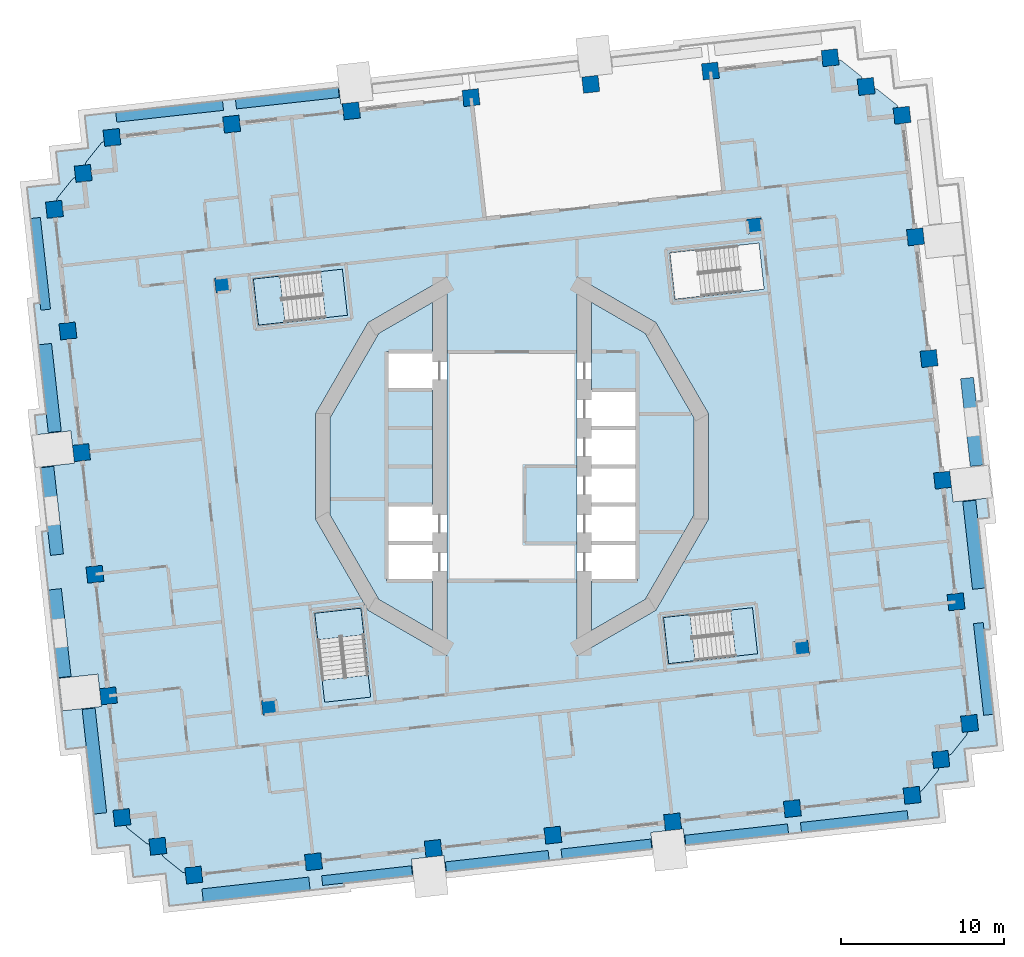
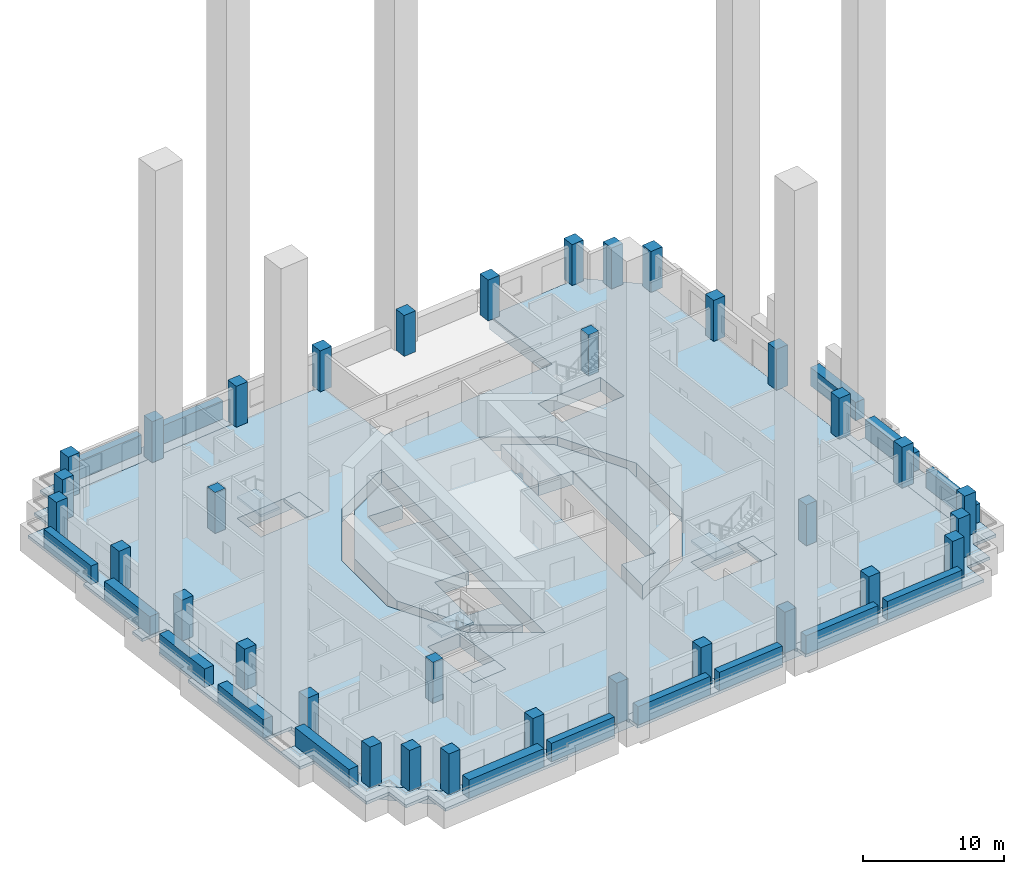
# One storey, part 1 of 20: 34 columns, 16 plates, 13 slabs, 3 elements without a shape of their own.
"""IFC4 building model written with IfcOpenShell, lengths in metres."""

from ifc_helpers import new_model, si_unit, direction, frame, origin, origin_2d, place, context, subcontext, project, spatial, polyline, rectangle, outline, extrude, material, layer, layer_set, material_profile, profile_set, type_object, element, aggregate, save


model = new_model("IFC4")

# Units and contexts
model_context = context("Model", 3, precision=1e-05, world=origin(), true_north=direction((0.0, 1.0)))
body_context = subcontext(model_context, "Body", "Model", "MODEL_VIEW")
ifc_project = project(units=[si_unit("LENGTHUNIT", "METRE"), si_unit("AREAUNIT", "SQUARE_METRE"), si_unit("VOLUMEUNIT", "CUBIC_METRE"), si_unit("PLANEANGLEUNIT", "RADIAN"), si_unit("MASSUNIT", "GRAM", prefix="KILO")], contexts=[model_context])

# Site, building, storey
site_placement = place(None, origin())
site = spatial("IfcSite", under=ifc_project, at=site_placement, CompositionType="ELEMENT")
building_placement = place(site_placement, origin())
building = spatial("IfcBuilding", under=site, at=building_placement, Name="Cantera Rosa Tower", CompositionType="ELEMENT")
storey_placement = place(building_placement, frame((0.0, 0.0, 42.5)))
storey = spatial("IfcBuildingStorey", under=building, at=storey_placement, Name="L07", CompositionType="ELEMENT", Elevation=42.5)

# Columns
ifc_material_1 = material(Name="Concrete C70/85", Category="concrete")
ifc_material_profile_1 = material_profile(ifc_material_1, rectangle(XDim=1.0, YDim=1.0, at=origin_2d()), Name="RC COLUMN RC1000X1000 C70/85")
ifc_profile_set_1 = profile_set([ifc_material_profile_1], Name="Concrete C70/85")
column_type_1 = type_object("IfcColumnType", Name="RC COLUMN RC1000X1000 C70/85", PredefinedType="COLUMN", material=ifc_profile_set_1)
for number, where, z_axis, x_axis, name in (
    (1, (28.114013671875, -15.795166015625, 0.0), (0.0, 0.0, 1.0), (0.993896946415, 0.110312555526, 0.0), "C-Z1-01 L07"),
    (2, (27.284423828125, -8.321044921875, 0.0), (0.0, 0.0, 1.0), (0.993896946415, 0.110312555526, 0.0), "C-Z1-02 L07"),
    (3, (26.454833984375, -0.846923828125, 0.0), (0.0, 0.0, 1.0), (0.993896946415, 0.110312555526, 0.0), "C-Z1-03 L07"),
    (4, (25.625244140625, 6.627197265625, 0.0), (0.0, 0.0, 1.0), (0.993896946415, 0.110312555526, 0.0), "C-Z1-04 L07"),
    (5, (24.795654296875, 14.101318359375, 0.0), (0.0, 0.0, 1.0), (0.993896946415, 0.110312555526, 0.0), "C-Z1-05 L07"),
    (6, (23.96630859375, 21.575439453125, 0.0), (0.0, 0.0, 1.0), (0.993896946415, 0.110312555526, 0.0), "C-Z1-06 L07"),
    (7, (21.7578125, 23.342529296875, 0.0), (0.0, 0.0, 1.0), (0.993896946415, 0.110312555526, 0.0), "C-Z1-07 L07"),
    (8, (19.54931640625, 25.10986328125, 0.0), (0.0, 0.0, 1.0), (0.993896946415, 0.110312555526, 0.0), "C-Z1-08 L07"),
    (9, (12.194580078125, 24.29345703125, 0.0), (0.0, 0.0, 1.0), (0.993896946415, 0.110312555526, 0.0), "C-Z1-09 L07"),
    (10, (4.839599609375, 23.47705078125, 0.0), (0.0, 0.0, 1.0), (0.993896946415, 0.110312555526, 0.0), "C-Z1-10 L07"),
    (11, (-2.51513671875, 22.660888671875, 0.0), (0.0, 0.0, 1.0), (0.993896946415, 0.110312555526, 0.0), "C-Z1-11 L07"),
    (12, (-9.869873046875, 21.844482421875, 0.0), (0.0, 0.0, 1.0), (0.993896946415, 0.110312555526, 0.0), "C-Z1-12 L07"),
    (13, (-17.224853515625, 21.0283203125, 0.0), (0.0, 0.0, 1.0), (0.993896946415, 0.110312555526, 0.0), "C-Z1-13 L07"),
    (14, (-24.57958984375, 20.2119140625, 0.0), (0.0, 0.0, 1.0), (0.993896946415, 0.110312555526, 0.0), "C-Z1-14 L07"),
    (15, (-26.346923828125, 18.00341796875, 0.0), (0.0, 0.0, 1.0), (0.993896946415, 0.110312555526, 0.0), "C-Z1-15 L07"),
    (16, (-28.114013671875, 15.795166015625, 0.0), (0.0, 0.0, 1.0), (0.993896946415, 0.110312555526, 0.0), "C-Z1-16 L07"),
    (17, (-27.284423828125, 8.321044921875, 0.0), (0.0, 0.0, 1.0), (0.993896946415, 0.110312555526, 0.0), "C-Z1-17 L07"),
    (18, (-26.454833984375, 0.846923828125, 0.0), (0.0, 0.0, 1.0), (0.993896946415, 0.110312555526, 0.0), "C-Z1-18 L07"),
    (19, (-25.625244140625, -6.627197265625, 0.0), (0.0, 0.0, 1.0), (0.993896946415, 0.110312555526, 0.0), "C-Z1-19 L07"),
    (20, (-24.795654296875, -14.101318359375, 0.0), (0.0, 0.0, 1.0), (0.993896946415, 0.110312555526, 0.0), "C-Z1-20 L07"),
    (21, (-23.96630859375, -21.575439453125, 0.0), (0.0, 0.0, 1.0), (0.993896946415, 0.110312555526, 0.0), "C-Z1-21 L07"),
    (22, (-21.7578125, -23.342529296875, 0.0), (0.0, 0.0, 1.0), (0.993896946415, 0.110312555526, 0.0), "C-Z1-22 L07"),
    (23, (-19.54931640625, -25.10986328125, 0.0), (0.0, 0.0, 1.0), (0.993896946415, 0.110312555526, 0.0), "C-Z1-23 L07"),
    (24, (-12.194580078125, -24.29345703125, 0.0), (0.0, 0.0, 1.0), (0.993896946415, 0.110312555526, 0.0), "C-Z1-24 L07"),
    (25, (-4.839599609375, -23.47705078125, 0.0), (0.0, 0.0, 1.0), (0.993896946415, 0.110312555526, 0.0), "C-Z1-25 L07"),
    (26, (2.51513671875, -22.660888671875, 0.0), (0.0, 0.0, 1.0), (0.993896946415, 0.110312555526, 0.0), "C-Z1-26 L07"),
    (27, (9.869873046875, -21.844482421875, 0.0), (0.0, 0.0, 1.0), (0.993896946415, 0.110312555526, 0.0), "C-Z1-27 L07"),
    (28, (17.224853515625, -21.0283203125, 0.0), (0.0, 0.0, 1.0), (0.993896946415, 0.110312555526, 0.0), "C-Z1-28 L07"),
    (29, (24.57958984375, -20.2119140625, 0.0), (0.0, 0.0, 1.0), (0.993896946415, 0.110312555526, 0.0), "C-Z1-29 L07"),
    (30, (26.346923828125, -18.00341796875, 0.0), (0.0, 0.0, 1.0), (0.993896946415, 0.110312555526, 0.0), "C-Z1-30 L07"),
):
    element("IfcColumn", number, at=place(storey_placement, frame(where, z_axis=z_axis, x_axis=x_axis)), inside=storey, type_object=column_type_1, Name=name, PredefinedType="COLUMN", context=body_context, shape_type="SweptSolid", body=[
        extrude(rectangle(XDim=1.0, YDim=1.0, at=origin_2d()), origin(), (0.0, 0.0, 1.0), 3.550048828125),
    ])
ifc_material_2 = material(Name="Concrete C70/85", Category="concrete")
ifc_material_profile_2 = material_profile(ifc_material_2, rectangle(XDim=0.89990234375, YDim=0.89990234375, at=origin_2d()), Name="RC RING COLUMN RC900X900 C70/85")
ifc_profile_set_2 = profile_set([ifc_material_profile_2], Name="Concrete C70/85")
column_type_2 = type_object("IfcColumnType", Name="RC RING COLUMN RC900X900 C70/85", PredefinedType="COLUMN", material=ifc_profile_set_2)
for number, where, z_axis, x_axis, name in (
    (31, (14.909912109375, 14.784912109375, 0.0), (0.0, 0.0, 1.0), (0.993896946415, 0.110312555526, 0.0), "CI-Z1-1 L07"),
    (32, (-17.7890625, 11.15576171875, 0.0), (0.0, 0.0, 1.0), (0.993896946415, 0.110312555526, 0.0), "CI-Z1-2 L07"),
    (33, (-14.909912109375, -14.784912109375, 0.0), (0.0, 0.0, 1.0), (0.993896946415, 0.110312555526, 0.0), "CI-Z1-3 L07"),
    (34, (17.7890625, -11.15576171875, 0.0), (0.0, 0.0, 1.0), (0.993896946415, 0.110312555526, 0.0), "CI-Z1-4 L07"),
):
    element("IfcColumn", number, at=place(storey_placement, frame(where, z_axis=z_axis, x_axis=x_axis)), inside=storey, type_object=column_type_2, Name=name, PredefinedType="COLUMN", context=body_context, shape_type="SweptSolid", body=[
        extrude(rectangle(XDim=0.89990234375, YDim=0.89990234375, at=origin_2d()), origin(), (0.0, 0.0, 1.0), 3.550048828125),
    ])

# Slabs
ifc_material_3 = material(Name="Concrete C35/45", Category="concrete")
ifc_layer_1 = layer(ifc_material_3, 0.25)
ifc_layer_set_1 = layer_set([ifc_layer_1], Name="LOGGIA SLAB 250 C35/45")
slab_type_1 = type_object("IfcSlabType", Name="LOGGIA SLAB 250 C35/45", PredefinedType="FLOOR", material=ifc_layer_set_1)
slab_1_placement = place(storey_placement, frame((0.0, 0.0, -0.25)))
element("IfcSlab", 35, at=slab_1_placement, inside=storey, type_object=slab_type_1, Name="LOGGIA SLAB L07 1", PredefinedType="FLOOR", context=body_context, shape_type="SweptSolid", body=[
    extrude(outline(polyline([(-29.789306640625, 17.1357421875), (-28.28125, 17.302978515625), (-28.279296875, 17.285888671875), (-27.782470703125, 17.341064453125), (-27.837646484375, 17.837890625), (-28.003173828125, 19.328857421875), (-26.51220703125, 19.494384765625), (-26.015380859375, 19.549560546875), (-26.070556640625, 20.04638671875), (-26.236083984375, 21.537353515625), (-24.7451171875, 21.702880859375), (-18.881103515625, 22.353515625), (-15.8994140625, 22.6845703125), (-11.5263671875, 23.169921875), (-10.6318359375, 23.269287109375), (-10.521484375, 22.275390625), (-10.422119140625, 22.286376953125), (-10.366943359375, 21.789306640625), (-24.57958984375, 20.2119140625), (-25.166015625, 19.922607421875), (-25.191162109375, 19.9072265625), (-25.214599609375, 19.889404296875), (-25.236083984375, 19.869384765625), (-25.255615234375, 19.84716796875), (-26.139404296875, 18.742919921875), (-26.156494140625, 18.71923828125), (-26.17138671875, 18.693603515625), (-26.18359375, 18.6669921875), (-26.193115234375, 18.63916015625), (-26.3466796875, 18.00341796875), (-26.933349609375, 17.714111328125), (-26.958251953125, 17.69873046875), (-26.981689453125, 17.680908203125), (-27.00341796875, 17.660888671875), (-27.022705078125, 17.638916015625), (-27.906494140625, 16.53466796875), (-27.923583984375, 16.5107421875), (-27.9384765625, 16.4853515625), (-27.95068359375, 16.45849609375), (-27.960205078125, 16.4306640625), (-28.114013671875, 15.795166015625), (-26.510009765625, 1.34375), (-27.007080078125, 1.288818359375), (-27.106201171875, 2.18310546875), (-29.180908203125, 1.952880859375), (-29.31201171875, 3.133056640625), (-28.6171875, 3.210205078125), (-29.36962890625, 9.989501953125), (-29.000732421875, 10.030517578125), (-29.789306640625, 17.1357421875)])), origin(), (0.0, 0.0, 1.0), 0.25),
])
slab_2_placement = place(storey_placement, frame((0.0, 0.0, -0.25)))
element("IfcSlab", 36, at=slab_2_placement, inside=storey, type_object=slab_type_1, Name="LOGGIA SLAB L07 2", PredefinedType="FLOOR", context=body_context, shape_type="SweptSolid", body=[
    extrude(outline(polyline([(-21.272216796875, -24.999267578125), (-21.5703125, -25.0322265625), (-23.260009765625, -25.2197265625), (-23.447509765625, -23.5302734375), (-23.48046875, -23.23193359375), (-23.77880859375, -23.26513671875), (-25.46826171875, -23.45263671875), (-25.65576171875, -21.762939453125), (-26.159912109375, -17.22021484375), (-27.40185546875, -17.358154296875), (-28.882080078125, -4.021240234375), (-28.5224609375, -3.981201171875), (-28.96044921875, -0.034912109375), (-26.885498046875, 0.1953125), (-26.896728515625, 0.294921875), (-26.399658203125, 0.349853515625), (-24.850830078125, -13.6044921875), (-25.347900390625, -13.65966796875), (-25.447265625, -12.764892578125), (-27.83251953125, -13.02978515625), (-27.61181640625, -15.017578125), (-25.2265625, -14.752685546875), (-25.237548828125, -14.653564453125), (-24.740478515625, -14.598388671875), (-23.96630859375, -21.575439453125), (-23.677001953125, -22.161865234375), (-23.66162109375, -22.18701171875), (-23.643798828125, -22.21044921875), (-23.62353515625, -22.23193359375), (-23.6015625, -22.25146484375), (-22.497314453125, -23.135009765625), (-22.473388671875, -23.15234375), (-22.447998046875, -23.1669921875), (-22.42138671875, -23.179443359375), (-22.393310546875, -23.18896484375), (-21.7578125, -23.342529296875), (-21.468505859375, -23.92919921875), (-21.453125, -23.9541015625), (-21.435302734375, -23.9775390625), (-21.415283203125, -23.999267578125), (-21.39306640625, -24.018798828125), (-20.288818359375, -24.902099609375), (-20.26513671875, -24.91943359375), (-20.239501953125, -24.934326171875), (-20.212890625, -24.946533203125), (-20.18505859375, -24.9560546875), (-19.54931640625, -25.10986328125), (-18.642578125, -25.00927734375), (-5.336669921875, -23.5322265625), (-5.281494140625, -24.029296875), (-6.176025390625, -24.12841796875), (-6.064697265625, -25.132080078125), (-10.33837890625, -25.606689453125), (-10.3173828125, -25.795654296875), (-19.36181640625, -26.79931640625), (-21.051513671875, -26.98681640625), (-21.239013671875, -25.29736328125), (-21.272216796875, -24.999267578125)])), origin(), (0.0, 0.0, 1.0), 0.25),
])
slab_3_placement = place(storey_placement, frame((0.0, 0.0, -0.25)))
element("IfcSlab", 37, at=slab_3_placement, inside=storey, type_object=slab_type_1, Name="LOGGIA SLAB L07 4", PredefinedType="FLOOR", context=body_context, shape_type="SweptSolid", body=[
    extrude(outline(polyline([(-4.3427734375, -23.422119140625), (9.373046875, -21.899658203125), (9.42822265625, -22.396484375), (8.53369140625, -22.495849609375), (8.64404296875, -23.48974609375), (8.544677734375, -23.5009765625), (4.17138671875, -23.986083984375), (1.189697265625, -24.317138671875), (-3.173583984375, -24.801513671875), (-3.172607421875, -24.811279296875), (-4.076904296875, -24.91162109375), (-4.188232421875, -23.907958984375), (-4.28759765625, -23.9189453125), (-4.3427734375, -23.422119140625)])), origin(), (0.0, 0.0, 1.0), 0.25),
])
slab_4_placement = place(storey_placement, frame((0.0, 0.0, -0.25)))
element("IfcSlab", 38, at=slab_4_placement, inside=storey, type_object=slab_type_1, Name="LOGGIA SLAB L07 5", PredefinedType="FLOOR", context=body_context, shape_type="SweptSolid", body=[
    extrude(outline(polyline([(28.28125, -17.302978515625), (28.279296875, -17.285888671875), (27.782470703125, -17.341064453125), (27.837646484375, -17.837890625), (28.003173828125, -19.328857421875), (26.51220703125, -19.494384765625), (26.015380859375, -19.549560546875), (26.070556640625, -20.04638671875), (26.236083984375, -21.537353515625), (24.7451171875, -21.702880859375), (18.881103515625, -22.353515625), (15.8994140625, -22.6845703125), (11.5263671875, -23.169921875), (10.6318359375, -23.269287109375), (10.521484375, -22.275390625), (10.422119140625, -22.286376953125), (10.366943359375, -21.789306640625), (24.57958984375, -20.2119140625), (25.166015625, -19.922607421875), (25.191162109375, -19.9072265625), (25.214599609375, -19.889404296875), (25.236083984375, -19.869384765625), (25.255615234375, -19.84716796875), (26.139404296875, -18.742919921875), (26.156494140625, -18.71923828125), (26.17138671875, -18.693603515625), (26.18359375, -18.6669921875), (26.193115234375, -18.63916015625), (26.3466796875, -18.00341796875), (26.933349609375, -17.714111328125), (26.958251953125, -17.69873046875), (26.981689453125, -17.680908203125), (27.00341796875, -17.660888671875), (27.022705078125, -17.638916015625), (27.906494140625, -16.53466796875), (27.923583984375, -16.5107421875), (27.9384765625, -16.4853515625), (27.95068359375, -16.45849609375), (27.960205078125, -16.4306640625), (28.114013671875, -15.795166015625), (26.510009765625, -1.34375), (27.007080078125, -1.288818359375), (27.106201171875, -2.18310546875), (29.180908203125, -1.952880859375), (29.31201171875, -3.133056640625), (28.6171875, -3.210205078125), (29.36962890625, -9.989501953125), (29.000732421875, -10.030517578125), (29.789306640625, -17.1357421875), (28.28125, -17.302978515625)])), origin(), (0.0, 0.0, 1.0), 0.25),
])

# Plates
ifc_material_4 = material(Name="Cantera stone planter with soil", Category="masonry")
plate_type_1 = type_object("IfcPlateType", Name="PLANTER 600", PredefinedType="USERDEFINED", material=ifc_material_4)
plate_1_placement = place(storey_placement, frame((28.966796875, -12.445556640625, 0.0), z_axis=(0.0, 0.0, 1.0), x_axis=(-0.110312555526, 0.993896946415, 0.0)))
element("IfcPlate", 39, at=plate_1_placement, inside=storey, type_object=plate_type_1, Name="PLANTER L07-01", ObjectType="PLANTER", PredefinedType="USERDEFINED", context=body_context, shape_type="SweptSolid", body=[
    extrude(rectangle(XDim=5.669921875, YDim=0.60009765625, at=origin_2d()), origin(), (0.0, 0.0, 1.0), 1.60009765625),
])
plate_2_placement = place(storey_placement, frame((-13.803955078125, 22.615234375, 0.0), z_axis=(0.0, 0.0, 1.0), x_axis=(-0.993896946415, -0.110312555526, 0.0)))
element("IfcPlate", 40, at=plate_2_placement, inside=storey, type_object=plate_type_1, Name="PLANTER L07-10", ObjectType="PLANTER", PredefinedType="USERDEFINED", context=body_context, shape_type="SweptSolid", body=[
    extrude(rectangle(XDim=6.35009765625, YDim=0.60009765625, at=origin_2d()), origin(), (0.0, 0.0, 1.0), 1.60009765625),
])
plate_3_placement = place(storey_placement, frame((-21.03466796875, 21.812744140625, 0.0), z_axis=(0.0, 0.0, 1.0), x_axis=(-0.993896946415, -0.110312555526, 0.0)))
element("IfcPlate", 41, at=plate_3_placement, inside=storey, type_object=plate_type_1, Name="PLANTER L07-11", ObjectType="PLANTER", PredefinedType="USERDEFINED", context=body_context, shape_type="SweptSolid", body=[
    extrude(rectangle(XDim=6.60009765625, YDim=0.60009765625, at=origin_2d()), origin(), (0.0, 0.0, 1.0), 1.60009765625),
])
plate_4_placement = place(storey_placement, frame((-28.966796875, 12.445556640625, 0.0), z_axis=(0.0, 0.0, 1.0), x_axis=(0.110312555526, -0.993896946415, 0.0)))
element("IfcPlate", 42, at=plate_4_placement, inside=storey, type_object=plate_type_1, Name="PLANTER L07-12", ObjectType="PLANTER", PredefinedType="USERDEFINED", context=body_context, shape_type="SweptSolid", body=[
    extrude(rectangle(XDim=5.669921875, YDim=0.60009765625, at=origin_2d()), origin(), (0.0, 0.0, 1.0), 1.60009765625),
])
plate_5_placement = place(storey_placement, frame((-8.905517578125, -25.145751953125, 0.0), z_axis=(0.0, 0.0, 1.0), x_axis=(0.993896946415, 0.110312555526, 0.0)))
element("IfcPlate", 43, at=plate_5_placement, inside=storey, type_object=plate_type_1, Name="PLANTER L07-18", ObjectType="PLANTER", PredefinedType="USERDEFINED", context=body_context, shape_type="SweptSolid", body=[
    extrude(rectangle(XDim=5.550048828125, YDim=0.60009765625, at=origin_2d()), origin(), (0.0, 0.0, 1.0), 1.60009765625),
])
plate_6_placement = place(storey_placement, frame((-0.90576171875, -24.247802734375, 0.0), z_axis=(0.0, 0.0, 1.0), x_axis=(0.993896946415, 0.110312555526, 0.0)))
element("IfcPlate", 44, at=plate_6_placement, inside=storey, type_object=plate_type_1, Name="PLANTER L07-19", ObjectType="PLANTER", PredefinedType="USERDEFINED", context=body_context, shape_type="SweptSolid", body=[
    extrude(rectangle(XDim=6.35009765625, YDim=0.60009765625, at=origin_2d()), origin(), (0.0, 0.0, 1.0), 1.60009765625),
])
plate_7_placement = place(storey_placement, frame((5.80322265625, -23.503173828125, 0.0), z_axis=(0.0, 0.0, 1.0), x_axis=(0.993896946415, 0.110312555526, 0.0)))
element("IfcPlate", 45, at=plate_7_placement, inside=storey, type_object=plate_type_1, Name="PLANTER L07-20", ObjectType="PLANTER", PredefinedType="USERDEFINED", context=body_context, shape_type="SweptSolid", body=[
    extrude(rectangle(XDim=5.550048828125, YDim=0.60009765625, at=origin_2d()), origin(), (0.0, 0.0, 1.0), 1.60009765625),
])
plate_8_placement = place(storey_placement, frame((13.803955078125, -22.615234375, 0.0), z_axis=(0.0, 0.0, 1.0), x_axis=(0.993896946415, 0.110312555526, 0.0)))
element("IfcPlate", 46, at=plate_8_placement, inside=storey, type_object=plate_type_1, Name="PLANTER L07-21", ObjectType="PLANTER", PredefinedType="USERDEFINED", context=body_context, shape_type="SweptSolid", body=[
    extrude(rectangle(XDim=6.35009765625, YDim=0.60009765625, at=origin_2d()), origin(), (0.0, 0.0, 1.0), 1.60009765625),
])
plate_9_placement = place(storey_placement, frame((21.03466796875, -21.812744140625, 0.0), z_axis=(0.0, 0.0, 1.0), x_axis=(0.993896946415, 0.110312555526, 0.0)))
element("IfcPlate", 47, at=plate_9_placement, inside=storey, type_object=plate_type_1, Name="PLANTER L07-22", ObjectType="PLANTER", PredefinedType="USERDEFINED", context=body_context, shape_type="SweptSolid", body=[
    extrude(rectangle(XDim=6.60009765625, YDim=0.60009765625, at=origin_2d()), origin(), (0.0, 0.0, 1.0), 1.60009765625),
])
ifc_material_5 = material(Name="Cantera stone planter with soil", Category="masonry")
plate_type_2 = type_object("IfcPlateType", Name="PLANTER 800", PredefinedType="USERDEFINED", material=ifc_material_5)
for number, where, z_axis, x_axis, name in (
    (48, (28.393310546875, -4.8173828125, 0.0), (0.0, 0.0, 1.0), (-0.110312555526, 0.993896946415, 0.0), "PLANTER L07-02"),
    (49, (28.25830078125, 2.73388671875, 0.0), (0.0, 0.0, 1.0), (-0.110312555526, 0.993896946415, 0.0), "PLANTER L07-03"),
    (50, (-28.393310546875, 4.8173828125, 0.0), (0.0, 0.0, 1.0), (0.110312555526, -0.993896946415, 0.0), "PLANTER L07-13"),
    (51, (-28.25830078125, -2.73388671875, 0.0), (0.0, 0.0, 1.0), (0.110312555526, -0.993896946415, 0.0), "PLANTER L07-14"),
    (52, (-27.78857421875, -10.248046875, 0.0), (0.0, 0.0, 1.0), (0.110312555526, -0.993896946415, 0.0), "PLANTER L07-15"),
):
    element("IfcPlate", number, at=place(storey_placement, frame(where, z_axis=z_axis, x_axis=x_axis)), inside=storey, type_object=plate_type_2, Name=name, ObjectType="PLANTER", PredefinedType="USERDEFINED", context=body_context, shape_type="SweptSolid", body=[
        extrude(rectangle(XDim=5.419921875, YDim=0.800048828125, at=origin_2d()), origin(), (0.0, 0.0, 1.0), 1.60009765625),
    ])
plate_10_placement = place(storey_placement, frame((-25.6591796875, -18.10595703125, 0.0), z_axis=(0.0, 0.0, 1.0), x_axis=(0.110312555526, -0.993896946415, 0.0)))
element("IfcPlate", 53, at=plate_10_placement, inside=storey, type_object=plate_type_2, Name="PLANTER L07-16", ObjectType="PLANTER", PredefinedType="USERDEFINED", context=body_context, shape_type="SweptSolid", body=[
    extrude(rectangle(XDim=6.469970703125, YDim=0.800048828125, at=origin_2d()), origin(), (0.0, 0.0, 1.0), 1.60009765625),
])
plate_11_placement = place(storey_placement, frame((-15.728515625, -25.99365234375, 0.0), z_axis=(0.0, 0.0, 1.0), x_axis=(0.993896946415, 0.110312555526, 0.0)))
element("IfcPlate", 54, at=plate_11_placement, inside=storey, type_object=plate_type_2, Name="PLANTER L07-17", ObjectType="PLANTER", PredefinedType="USERDEFINED", context=body_context, shape_type="SweptSolid", body=[
    extrude(rectangle(XDim=6.60009765625, YDim=0.800048828125, at=origin_2d()), origin(), (0.0, 0.0, 1.0), 1.60009765625),
])

# Slabs
ifc_material_6 = material(Name="Concrete C50/60", Category="concrete")
ifc_layer_2 = layer(ifc_material_6, 0.300048828125)
ifc_layer_set_2 = layer_set([ifc_layer_2], Name="RC STAIR ARRIVAL LANDING 300 C50/60")
slab_type_2 = type_object("IfcSlabType", Name="RC STAIR ARRIVAL LANDING 300 C50/60", PredefinedType="FLOOR", material=ifc_layer_set_2)
slab_5_placement = place(storey_placement, frame((0.0, 0.0, -0.300048828125)))
element("IfcSlab", 55, at=slab_5_placement, inside=storey, type_object=slab_type_2, Name="SLAB L07 arrival 1", PredefinedType="FLOOR", context=body_context, shape_type="SweptSolid", body=[
    extrude(outline(polyline([(-10.424072265625, 12.11962890625), (-10.109619140625, 9.287109375), (-11.46337890625, 9.13671875), (-11.777587890625, 11.969482421875), (-10.424072265625, 12.11962890625)])), origin(), (0.0, 0.0, 1.0), 0.300048828125),
])
slab_6_placement = place(storey_placement, frame((0.0, 0.0, -0.300048828125)))
element("IfcSlab", 56, at=slab_6_placement, inside=storey, type_object=slab_type_2, Name="SLAB L07 arrival 2", PredefinedType="FLOOR", context=body_context, shape_type="SweptSolid", body=[
    extrude(outline(polyline([(-8.680419921875, -14.176025390625), (-11.512939453125, -14.490478515625), (-11.6630859375, -13.13671875), (-8.83056640625, -12.822265625), (-8.680419921875, -14.176025390625)])), origin(), (0.0, 0.0, 1.0), 0.300048828125),
])
slab_7_placement = place(storey_placement, frame((0.0, 0.0, -0.300048828125)))
element("IfcSlab", 57, at=slab_7_placement, inside=storey, type_object=slab_type_2, Name="SLAB L07 arrival 3", PredefinedType="FLOOR", context=body_context, shape_type="SweptSolid", body=[
    extrude(outline(polyline([(14.77587890625, -8.680419921875), (15.09033203125, -11.512939453125), (13.73681640625, -11.6630859375), (13.42236328125, -8.83056640625), (14.77587890625, -8.680419921875)])), origin(), (0.0, 0.0, 1.0), 0.300048828125),
])
ifc_material_7 = material(Name="Concrete C50/60", Category="concrete")
ifc_layer_3 = layer(ifc_material_7, 1.199951171875)
ifc_layer_set_3 = layer_set([ifc_layer_3], Name="RC TRANSFER PLATE 1200 C50/60")
slab_type_3 = type_object("IfcSlabType", Name="RC TRANSFER PLATE 1200 C50/60", PredefinedType="FLOOR", material=ifc_layer_set_3)
slab_8_placement = place(storey_placement, frame((0.0, 0.0, -1.199951171875)))
element("IfcSlab", 58, at=slab_8_placement, inside=storey, type_object=slab_type_3, Name="SLAB L07 floor 1", PredefinedType="FLOOR", context=body_context, shape_type="SweptSolid", body=[
    extrude(outline(polyline([(-4.89990234375, -7.050048828125), (-4.89990234375, -10.07373046875), (-8.179931640625, -8.179931640625), (-11.174072265625, -2.994140625), (-11.174072265625, 2.994140625), (-8.179931640625, 8.179931640625), (-4.89990234375, 10.07373046875), (-4.89990234375, 7.050048828125), (-7.699951171875, 7.050048828125), (-7.699951171875, 4.699951171875), (-4.89990234375, 4.699951171875), (-4.89990234375, -2.35009765625), (-7.699951171875, -2.35009765625), (-7.699951171875, -4.699951171875), (-7.699951171875, -7.050048828125), (-4.89990234375, -7.050048828125)])), origin(), (0.0, 0.0, 1.0), 1.199951171875),
])
slab_9_placement = place(storey_placement, frame((0.0, 0.0, -1.199951171875)))
element("IfcSlab", 59, at=slab_9_placement, inside=storey, type_object=slab_type_3, Name="SLAB L07 floor 2", PredefinedType="FLOOR", context=body_context, shape_type="SweptSolid", body=[
    extrude(outline(polyline([(-21.39306640625, -24.018798828125), (-21.415283203125, -23.999267578125), (-21.435302734375, -23.9775390625), (-21.453125, -23.9541015625), (-21.468505859375, -23.92919921875), (-21.7578125, -23.342529296875), (-22.393310546875, -23.18896484375), (-22.42138671875, -23.179443359375), (-22.447998046875, -23.1669921875), (-22.473388671875, -23.15234375), (-22.497314453125, -23.135009765625), (-23.6015625, -22.25146484375), (-23.62353515625, -22.23193359375), (-23.643798828125, -22.21044921875), (-23.66162109375, -22.18701171875), (-23.677001953125, -22.161865234375), (-23.96630859375, -21.575439453125), (-28.114013671875, 15.795166015625), (-27.960205078125, 16.4306640625), (-27.95068359375, 16.45849609375), (-27.9384765625, 16.4853515625), (-27.923583984375, 16.5107421875), (-27.906494140625, 16.53466796875), (-27.022705078125, 17.638916015625), (-27.00341796875, 17.660888671875), (-26.981689453125, 17.680908203125), (-26.958251953125, 17.69873046875), (-26.933349609375, 17.714111328125), (-26.3466796875, 18.00341796875), (-26.193115234375, 18.63916015625), (-26.18359375, 18.6669921875), (-26.17138671875, 18.693603515625), (-26.156494140625, 18.71923828125), (-26.139404296875, 18.742919921875), (-25.255615234375, 19.84716796875), (-25.236083984375, 19.869384765625), (-25.214599609375, 19.889404296875), (-25.191162109375, 19.9072265625), (-25.166015625, 19.922607421875), (-24.57958984375, 20.2119140625), (-2.51513671875, 22.660888671875), (-1.687744140625, 15.20654296875), (13.02197265625, 16.839111328125), (12.194580078125, 24.29345703125), (18.642578125, 25.00927734375), (19.54931640625, 25.10986328125), (20.18505859375, 24.9560546875), (20.212890625, 24.946533203125), (20.239501953125, 24.934326171875), (20.26513671875, 24.91943359375), (20.288818359375, 24.902099609375), (21.39306640625, 24.018798828125), (21.415283203125, 23.999267578125), (21.435302734375, 23.9775390625), (21.453125, 23.9541015625), (21.468505859375, 23.92919921875), (21.7578125, 23.342529296875), (22.393310546875, 23.18896484375), (22.42138671875, 23.179443359375), (22.447998046875, 23.1669921875), (22.473388671875, 23.15234375), (22.497314453125, 23.135009765625), (23.6015625, 22.25146484375), (23.62353515625, 22.23193359375), (23.643798828125, 22.21044921875), (23.66162109375, 22.18701171875), (23.677001953125, 22.161865234375), (23.96630859375, 21.575439453125), (28.114013671875, -15.795166015625), (27.960205078125, -16.4306640625), (27.95068359375, -16.45849609375), (27.9384765625, -16.4853515625), (27.923583984375, -16.5107421875), (27.906494140625, -16.53466796875), (27.022705078125, -17.638916015625), (27.00341796875, -17.660888671875), (26.981689453125, -17.680908203125), (26.958251953125, -17.69873046875), (26.933349609375, -17.714111328125), (26.3466796875, -18.00341796875), (26.193115234375, -18.63916015625), (26.18359375, -18.6669921875), (26.17138671875, -18.693603515625), (26.156494140625, -18.71923828125), (26.139404296875, -18.742919921875), (25.255615234375, -19.84716796875), (25.236083984375, -19.869384765625), (25.214599609375, -19.889404296875), (25.191162109375, -19.9072265625), (25.166015625, -19.922607421875), (24.57958984375, -20.2119140625), (-18.642578125, -25.00927734375), (-19.54931640625, -25.10986328125), (-20.18505859375, -24.9560546875), (-20.212890625, -24.946533203125), (-20.239501953125, -24.934326171875), (-20.26513671875, -24.91943359375), (-20.288818359375, -24.902099609375), (-21.39306640625, -24.018798828125)]), holes=[polyline([(-8.680419921875, -14.176025390625), (-9.287109375, -8.709716796875), (-12.11962890625, -9.02392578125), (-11.6630859375, -13.13671875), (-11.512939453125, -14.490478515625), (-8.680419921875, -14.176025390625)]), polyline([(-12.07421875, 3.235107421875), (-12.07421875, -3.235107421875), (-8.8388671875, -8.8388671875), (-4.0, -11.632568359375), (-4.0, 11.632568359375), (-8.8388671875, 8.8388671875), (-12.07421875, 3.235107421875)]), polyline([(-10.424072265625, 12.11962890625), (-15.890380859375, 11.512939453125), (-15.575927734375, 8.680419921875), (-11.46337890625, 9.13671875), (-10.109619140625, 9.287109375), (-10.424072265625, 12.11962890625)]), polyline([(9.3095703125, -9.287109375), (9.6240234375, -12.11962890625), (13.73681640625, -11.6630859375), (15.09033203125, -11.512939453125), (14.77587890625, -8.680419921875), (9.3095703125, -9.287109375)]), polyline([(12.07421875, -3.235107421875), (12.07421875, 3.235107421875), (8.8388671875, 8.8388671875), (4.0, 11.632568359375), (4.0, -11.632568359375), (8.8388671875, -8.8388671875), (12.07421875, -3.235107421875)]), polyline([(15.176025390625, 13.7197265625), (9.709716796875, 13.11279296875), (10.02392578125, 10.2802734375), (14.13671875, 10.73681640625), (15.490478515625, 10.88720703125), (15.176025390625, 13.7197265625)])]), origin(), (0.0, 0.0, 1.0), 1.199951171875),
])
slab_10_placement = place(storey_placement, frame((0.0, 0.0, -1.199951171875)))
element("IfcSlab", 60, at=slab_10_placement, inside=storey, type_object=slab_type_3, Name="SLAB L07 floor 3", PredefinedType="FLOOR", context=body_context, shape_type="SweptSolid", body=[
    extrude(outline(polyline([(7.699951171875, 0.0), (7.699951171875, 2.35009765625), (7.699951171875, 4.699951171875), (4.89990234375, 4.699951171875), (4.89990234375, 10.07373046875), (8.179931640625, 8.179931640625), (11.174072265625, 2.994140625), (11.174072265625, -2.994140625), (8.179931640625, -8.179931640625), (4.89990234375, -10.07373046875), (4.89990234375, -7.050048828125), (7.699951171875, -7.050048828125), (7.699951171875, -4.699951171875), (7.699951171875, -2.35009765625), (7.699951171875, 0.0)])), origin(), (0.0, 0.0, 1.0), 1.199951171875),
])

# Stair, slab
ifc_material_8 = material(Name="Concrete C35/45", Category="concrete")
stair_type = type_object("IfcStairType", Name="EXIT STAIR 1350 DOGLEG", PredefinedType="HALF_TURN_STAIR", material=ifc_material_8)
stair_1_placement = place(storey_placement, origin())
stair_1 = element("IfcStair", 61, at=stair_1_placement, inside=storey, type_object=stair_type, Name="L07 ST-12", PredefinedType="HALF_TURN_STAIR")
ifc_material_9 = material(Name="Concrete C35/45", Category="concrete")
ifc_layer_4 = layer(ifc_material_9, 0.199951171875)
ifc_layer_set_4 = layer_set([ifc_layer_4], Name="STAIR LANDING 200")
slab_type_4 = type_object("IfcSlabType", Name="STAIR LANDING 200", PredefinedType="LANDING", material=ifc_layer_set_4)
slab_11_placement = place(storey_placement, frame((0.0, 0.0, 1.699951171875)))
slab_11 = element("IfcSlab", 62, at=slab_11_placement, type_object=slab_type_4, Name="ST-12 landing 1", PredefinedType="LANDING", context=body_context, shape_type="SweptSolid", body=[
    extrude(outline(polyline([(-14.258544921875, 11.694091796875), (-15.890380859375, 11.512939453125), (-15.575927734375, 8.680419921875), (-13.944091796875, 8.861572265625), (-14.258544921875, 11.694091796875)])), origin(), (0.0, 0.0, 1.0), 0.199951171875),
])
aggregate(stair_1, [slab_11])

stair_2_placement = place(storey_placement, origin())
stair_2 = element("IfcStair", 63, at=stair_2_placement, inside=storey, type_object=stair_type, Name="L07 ST-13", PredefinedType="HALF_TURN_STAIR")
slab_12_placement = place(storey_placement, frame((0.0, 0.0, 1.699951171875)))
slab_12 = element("IfcSlab", 64, at=slab_12_placement, type_object=slab_type_4, Name="ST-13 landing 1", PredefinedType="LANDING", context=body_context, shape_type="SweptSolid", body=[
    extrude(outline(polyline([(-9.10595703125, -10.341552734375), (-9.287109375, -8.70947265625), (-12.11962890625, -9.02392578125), (-11.9384765625, -10.656005859375), (-9.10595703125, -10.341552734375)])), origin(), (0.0, 0.0, 1.0), 0.199951171875),
])
aggregate(stair_2, [slab_12])

stair_3_placement = place(storey_placement, origin())
stair_3 = element("IfcStair", 65, at=stair_3_placement, inside=storey, type_object=stair_type, Name="L07 ST-14", PredefinedType="HALF_TURN_STAIR")
slab_13_placement = place(storey_placement, frame((0.0, 0.0, 1.699951171875)))
slab_13 = element("IfcSlab", 66, at=slab_13_placement, type_object=slab_type_4, Name="ST-14 landing 1", PredefinedType="LANDING", context=body_context, shape_type="SweptSolid", body=[
    extrude(outline(polyline([(10.941650390625, -9.10595703125), (9.3095703125, -9.287109375), (9.6240234375, -12.11962890625), (11.255859375, -11.9384765625), (10.941650390625, -9.10595703125)])), origin(), (0.0, 0.0, 1.0), 0.199951171875),
])
aggregate(stair_3, [slab_13])

save(model, "model.ifc")
